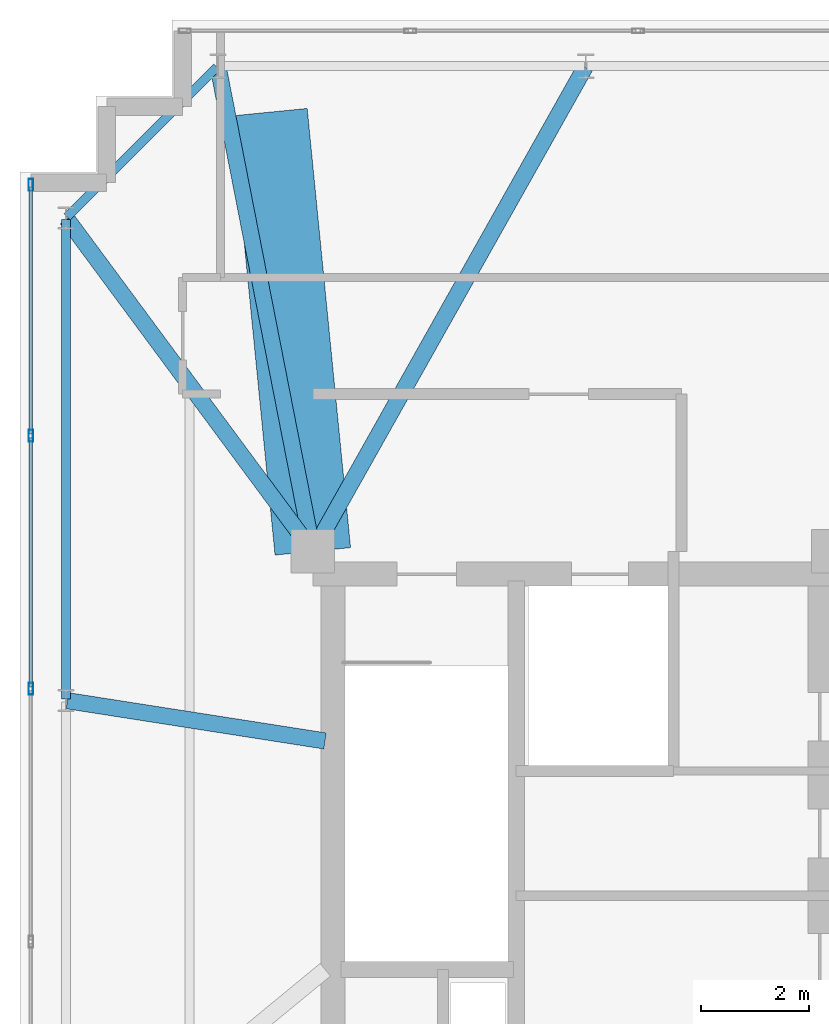
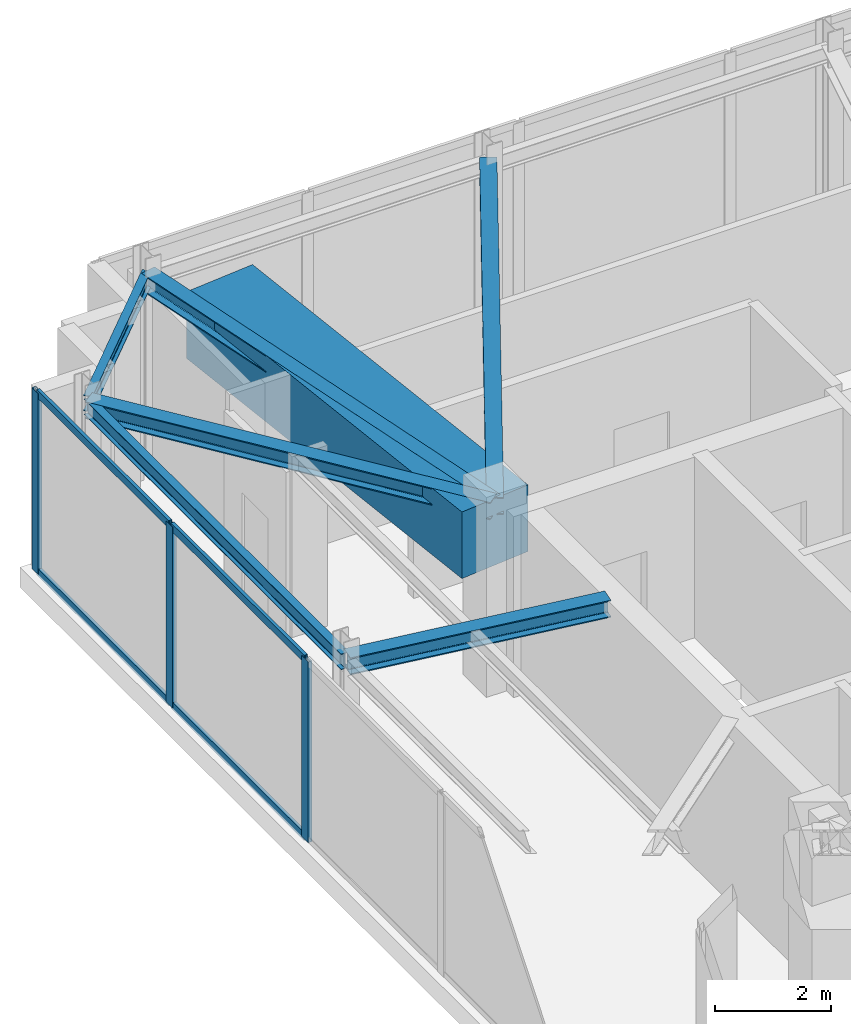
# One storey, part 12 of 27: 7 beams, 7 members, 1 element without a shape of its own.
"""IFC4 building model written with IfcOpenShell, lengths in metres."""

import ifcopenshell
import ifcopenshell.guid

model = None  # the IFC model being written
_history = None  # IfcOwnerHistory: only IFC2X3 demands one
_inside = {}  # id of a spatial element -> (the spatial element, [elements in it])
_under = {}  # id of a project, library or spatial element -> (it, [spatial elements below it])
_declared = {}  # id of a project -> (the project, [libraries it declares])
_typed = {}  # id of a type object -> (the type object, [elements of that type])
_made_of = {}  # id of a material, layer set ... -> (it, [elements and type objects made of it])


def new_model(schema):
    """Start an empty IFC model of exactly this schema.

    Asked for "IFC4X3", IfcOpenShell would pick the latest addendum, in which some entities
    have other attributes; the version numbers below select the first issue.
    IFC2X3 requires an IfcOwnerHistory on every rooted entity: one is made here for all.
    """
    global model, _history
    if schema == "IFC4X3":
        model = ifcopenshell.file(schema_version=(4, 3, 0, 0))
    else:
        model = ifcopenshell.file(schema=schema)
    _inside.clear()
    _under.clear()
    _declared.clear()
    _typed.clear()
    _made_of.clear()
    _history = None
    if model.schema == "IFC2X3":
        org = make("IfcOrganization", Name="unknown")
        user = make(
            "IfcPersonAndOrganization",
            ThePerson=make("IfcPerson", FamilyName="unknown"),
            TheOrganization=org,
        )
        app = make(
            "IfcApplication",
            ApplicationDeveloper=org,
            Version="unknown",
            ApplicationFullName="unknown",
            ApplicationIdentifier="unknown",
        )
        _history = make(
            "IfcOwnerHistory",
            OwningUser=user,
            OwningApplication=app,
            ChangeAction="ADDED",
            CreationDate=0,
        )
    return model


def make(cls, **values):
    """One entity of the class cls with the attributes given. An attribute that is None is left unset."""
    return model.create_entity(
        cls, **{name: value for name, value in values.items() if value is not None}
    )


def rooted(cls, **values):
    """An entity with a GlobalId (a new one), such as an element, a storey or a relation."""
    return make(cls, GlobalId=ifcopenshell.guid.new(), OwnerHistory=_history, **values)


def si_unit(unit_type, name, prefix=None):
    """IfcSIUnit, for example si_unit("LENGTHUNIT", "METRE", prefix="MILLI")."""
    return make("IfcSIUnit", UnitType=unit_type, Prefix=prefix, Name=name)


def assignment(units):
    """IfcUnitAssignment: the units of a project."""
    return None if units is None else make("IfcUnitAssignment", Units=units)


def point(xyz):
    """IfcCartesianPoint."""
    return None if xyz is None else make("IfcCartesianPoint", Coordinates=xyz)


def direction(xyz):
    """IfcDirection."""
    return None if xyz is None else make("IfcDirection", DirectionRatios=xyz)


def frame(location, z_axis=None, x_axis=None):
    """IfcAxis2Placement3D, a coordinate frame: its origin and axes. An axis left out is left unset."""
    return make(
        "IfcAxis2Placement3D",
        Location=point(location),
        Axis=direction(z_axis),
        RefDirection=direction(x_axis),
    )


def frame_2d(location, x_axis=None):
    """IfcAxis2Placement2D, a coordinate frame in the plane: its origin and x axis."""
    return make(
        "IfcAxis2Placement2D", Location=point(location), RefDirection=direction(x_axis)
    )


def origin():
    """The frame at (0, 0, 0) with its axes left unset."""
    return frame((0.0, 0.0, 0.0))


def origin_2d():
    """The frame at (0, 0) in the plane with its x axis left unset."""
    return frame_2d((0.0, 0.0))


def place(relative_to, where):
    """IfcLocalPlacement: puts the frame where relative to a parent placement (None: the world)."""
    return make(
        "IfcLocalPlacement", PlacementRelTo=relative_to, RelativePlacement=where
    )


def context(
    kind, dimensions, precision=None, world=None, true_north=None, identifier=None
):
    """IfcGeometricRepresentationContext, for example the 3D "Model" context."""
    return make(
        "IfcGeometricRepresentationContext",
        ContextIdentifier=identifier,
        ContextType=kind,
        CoordinateSpaceDimension=dimensions,
        Precision=precision,
        WorldCoordinateSystem=world,
        TrueNorth=true_north,
    )


def subcontext(parent, identifier, kind, view, scale=None):
    """IfcGeometricRepresentationSubContext, for example "Body" below "Model"."""
    return make(
        "IfcGeometricRepresentationSubContext",
        ContextIdentifier=identifier,
        ContextType=kind,
        ParentContext=parent,
        TargetScale=scale,
        TargetView=view,
    )


def project(units=None, contexts=None):
    """IfcProject with its units and contexts."""
    return rooted(
        "IfcProject",
        Name="project",
        RepresentationContexts=contexts,
        UnitsInContext=assignment(units),
    )


def spatial(cls, under=None, at=None, **own):
    """A site, building, storey or space (cls), placed at a placement, below another one or the project."""
    s = rooted(cls, ObjectPlacement=at, **own)
    if under is not None:
        _under.setdefault(under.id(), (under, []))[1].append(s)
    return s


def profile(cls, at=None, kind="AREA", **sizes):
    """A parametric profile (cls). Its sizes go by their IFC names, for example OverallWidth=200.0."""
    return make(cls, ProfileType=kind, Position=at, **sizes)


def rectangle(**sizes):
    """IfcRectangleProfileDef."""
    return profile("IfcRectangleProfileDef", **sizes)


def hollow_rectangle(**sizes):
    """IfcRectangleHollowProfileDef."""
    return profile("IfcRectangleHollowProfileDef", **sizes)


def i_section(**sizes):
    """IfcIShapeProfileDef."""
    return profile("IfcIShapeProfileDef", **sizes)


def extrude(swept, where, along, depth):
    """IfcExtrudedAreaSolid: the profile swept, set in the frame where, extruded along a direction by depth."""
    return make(
        "IfcExtrudedAreaSolid",
        SweptArea=swept,
        Position=where,
        ExtrudedDirection=direction(along),
        Depth=depth,
    )


def shape(context_of_items, identifier, shape_type, items):
    """IfcShapeRepresentation: the items that make up one representation, for example the "Body"."""
    return make(
        "IfcShapeRepresentation",
        ContextOfItems=context_of_items,
        RepresentationIdentifier=identifier,
        RepresentationType=shape_type,
        Items=items,
    )


def material(Name=None, Category=None):
    """IfcMaterial."""
    return make("IfcMaterial", Name=Name, Category=Category)


def layer(
    of_material, thickness, ventilated=None, Name=None, Category=None, Priority=None
):
    """IfcMaterialLayer: one layer of a wall or slab, of a material (None: an air gap)."""
    return make(
        "IfcMaterialLayer",
        Material=of_material,
        LayerThickness=thickness,
        IsVentilated=ventilated,
        Name=Name,
        Category=Category,
        Priority=Priority,
    )


def layer_set(layers, Name=None):
    """IfcMaterialLayerSet."""
    return make("IfcMaterialLayerSet", MaterialLayers=layers, LayerSetName=Name)


def material_profile(
    of_material, cross_section, Name=None, Category=None, Priority=None
):
    """IfcMaterialProfile: a cross section and its material."""
    return make(
        "IfcMaterialProfile",
        Name=Name,
        Material=of_material,
        Profile=cross_section,
        Priority=Priority,
        Category=Category,
    )


def profile_set(profiles, Name=None, composite=None):
    """IfcMaterialProfileSet."""
    return make(
        "IfcMaterialProfileSet",
        Name=Name,
        MaterialProfiles=profiles,
        CompositeProfile=composite,
    )


def made_of(thing, what):
    """Note that an element or type object is made of a material, layer set ...; save() writes the relation."""
    if what is not None:
        _made_of.setdefault(what.id(), (what, []))[1].append(thing)
    return thing


def type_object(cls, material=None, **own):
    """A type object (cls), such as IfcWallType, which elements share."""
    return made_of(rooted(cls, **own), material)


def element(
    cls,
    number,
    at=None,
    inside=None,
    cuts=None,
    type_object=None,
    material=None,
    context=None,
    identifier="Body",
    shape_type=None,
    held_by="IfcProductDefinitionShape",
    body=None,
    shapes=None,
    **own,
):
    """One element of the class cls, such as IfcWall. Its Tag is "e" and its number.

    at: its placement. inside: the storey or other place that contains it. cuts: it is an
    opening in that element (IfcRelVoidsElement). A single representation is given by context,
    identifier, shape_type and body (its items); several are given by shapes. held_by: the class
    of the entity that holds the representations. save() writes the other relations.
    """
    e = rooted(cls, Tag="e%d" % number, ObjectPlacement=at, **own)
    if body is not None:
        shapes = [shape(context, identifier, shape_type, body)]
    if shapes is not None:
        e.Representation = make(held_by, Representations=shapes)
    if inside is not None:
        _inside.setdefault(inside.id(), (inside, []))[1].append(e)
    if cuts is not None:
        rooted(
            "IfcRelVoidsElement", RelatingBuildingElement=cuts, RelatedOpeningElement=e
        )
    if type_object is not None:
        _typed.setdefault(type_object.id(), (type_object, []))[1].append(e)
    return made_of(e, material)


def aggregate(whole, parts):
    """IfcRelAggregates: a whole, such as a stair, and the parts it consists of."""
    return rooted("IfcRelAggregates", RelatingObject=whole, RelatedObjects=parts)


def save(model, path):
    """Write the relations noted so far, then the file.

    IfcRelAggregates (storeys below a building ...), IfcRelContainedInSpatialStructure (elements
    in a storey), IfcRelDefinesByType, IfcRelAssociatesMaterial and IfcRelDeclares: one each for
    every whole, place, type object, material and project.
    """
    for whole, parts in _under.values():
        aggregate(whole, parts)
    for where, things in _inside.values():
        rooted(
            "IfcRelContainedInSpatialStructure",
            RelatedElements=things,
            RelatingStructure=where,
        )
    for kind, things in _typed.values():
        rooted("IfcRelDefinesByType", RelatedObjects=things, RelatingType=kind)
    for what, things in _made_of.values():
        rooted("IfcRelAssociatesMaterial", RelatedObjects=things, RelatingMaterial=what)
    for by, libraries in _declared.values():
        rooted("IfcRelDeclares", RelatingContext=by, RelatedDefinitions=libraries)
    model.write(path)


model = new_model("IFC4")

# Units and contexts
model_context = context("Model", 3, precision=1e-05, world=origin(), true_north=direction((0.0, 1.0)))
body_context = subcontext(model_context, "Body", "Model", "MODEL_VIEW")
ifc_project = project(units=[si_unit("LENGTHUNIT", "METRE"), si_unit("AREAUNIT", "SQUARE_METRE"), si_unit("VOLUMEUNIT", "CUBIC_METRE"), si_unit("PLANEANGLEUNIT", "RADIAN"), si_unit("MASSUNIT", "GRAM", prefix="KILO")], contexts=[model_context])

# Site, building, storey
site_placement = place(None, origin())
site = spatial("IfcSite", under=ifc_project, at=site_placement, CompositionType="ELEMENT")
building_placement = place(site_placement, origin())
building = spatial("IfcBuilding", under=site, at=building_placement, Name="Qobustan Lattice House", CompositionType="ELEMENT")
storey_placement = place(building_placement, frame((0.0, 0.0, 266.0)))
storey = spatial("IfcBuildingStorey", under=building, at=storey_placement, Name="L75", CompositionType="ELEMENT", Elevation=266.0)

# Beams
ifc_material_1 = material(Name="Steel S355", Category="steel")
ifc_material_profile_1 = material_profile(ifc_material_1, i_section(OverallWidth=0.300048828125, OverallDepth=0.360107421875, WebThickness=0.012451171875, FlangeThickness=0.0224609375, FilletRadius=0.027099609375, at=origin_2d()), Name="HEB360")
ifc_profile_set_1 = profile_set([ifc_material_profile_1], Name="Steel S355")
beam_type_1 = type_object("IfcBeamType", Name="BM-FLG-HEB360", PredefinedType="USERDEFINED", material=ifc_profile_set_1)
beam_1_placement = place(storey_placement, frame((-20.545166015625, 14.525390625, 3.6201171875), z_axis=(0.191905644581, -0.981413380578, 0.0), x_axis=(0.981413380578, 0.191905644581, 0.0)))
element("IfcBeam", 1, at=beam_1_placement, inside=storey, type_object=beam_type_1, Name="L75 primary floor girder RAD-N7W", ObjectType="GIRDER", PredefinedType="USERDEFINED", context=body_context, shape_type="SweptSolid", body=[
    extrude(i_section(OverallWidth=0.300048828125, OverallDepth=0.360107421875, WebThickness=0.012451171875, FlangeThickness=0.0224609375, FilletRadius=0.027099609375, at=origin_2d()), origin(), (0.0, 0.0, 1.0), 9.0693359375),
])
beam_2_placement = place(storey_placement, frame((-13.779052734375, 14.5283203125, 3.6201171875), z_axis=(-0.490160276962, -0.871632320929, 0.0), x_axis=(0.871632320929, -0.490160276962, 0.0)))
element("IfcBeam", 2, at=beam_2_placement, inside=storey, type_object=beam_type_1, Name="L75 primary floor girder RAD-N6", ObjectType="GIRDER", PredefinedType="USERDEFINED", context=body_context, shape_type="SweptSolid", body=[
    extrude(i_section(OverallWidth=0.300048828125, OverallDepth=0.360107421875, WebThickness=0.012451171875, FlangeThickness=0.0224609375, FilletRadius=0.027099609375, at=origin_2d()), origin(), (0.0, 0.0, 1.0), 10.21826171875),
])
beam_3_placement = place(storey_placement, frame((-23.335205078125, 11.72998046875, 3.6201171875), z_axis=(0.594754993974, -0.80390702021, 0.0), x_axis=(0.80390702021, 0.594754993974, 0.0)))
element("IfcBeam", 3, at=beam_3_placement, inside=storey, type_object=beam_type_1, Name="L75 primary floor girder RAD-W1", ObjectType="GIRDER", PredefinedType="USERDEFINED", context=body_context, shape_type="SweptSolid", body=[
    extrude(i_section(OverallWidth=0.300048828125, OverallDepth=0.360107421875, WebThickness=0.012451171875, FlangeThickness=0.0224609375, FilletRadius=0.027099609375, at=origin_2d()), origin(), (0.0, 0.0, 1.0), 7.60009765625),
])
beam_4_placement = place(storey_placement, frame((-23.3251953125, 2.84619140625, 3.6201171875), z_axis=(0.988014453876, -0.154361390677, 0.0), x_axis=(0.154361390677, 0.988014453876, 0.0)))
element("IfcBeam", 4, at=beam_4_placement, inside=storey, type_object=beam_type_1, Name="L75 primary floor girder RAD-W2", ObjectType="GIRDER", PredefinedType="USERDEFINED", context=body_context, shape_type="SweptSolid", body=[
    extrude(i_section(OverallWidth=0.300048828125, OverallDepth=0.360107421875, WebThickness=0.012451171875, FlangeThickness=0.0224609375, FilletRadius=0.027099609375, at=origin_2d()), origin(), (0.0, 0.0, 1.0), 4.80810546875),
])
ifc_material_2 = material(Name="Steel S355", Category="steel")
ifc_material_profile_2 = material_profile(ifc_material_2, i_section(OverallWidth=0.159912109375, OverallDepth=0.330078125, WebThickness=0.007568359375, FlangeThickness=0.011474609375, FilletRadius=0.01806640625, at=origin_2d()), Name="IPE330")
ifc_profile_set_2 = profile_set([ifc_material_profile_2], Name="Steel S355")
beam_type_2 = type_object("IfcBeamType", Name="BM-SPD-IPE330", PredefinedType="SPANDREL", material=ifc_profile_set_2)
beam_5_placement = place(storey_placement, frame((-20.567626953125, 14.5322265625, 3.635009765625), z_axis=(-0.707106781187, -0.707106781187, 0.0), x_axis=(0.707106781187, -0.707106781187, 0.0)))
element("IfcBeam", 5, at=beam_5_placement, inside=storey, type_object=beam_type_2, Name="L75 perimeter spandrel N7-W1", PredefinedType="SPANDREL", context=body_context, shape_type="SweptSolid", body=[
    extrude(i_section(OverallWidth=0.159912109375, OverallDepth=0.330078125, WebThickness=0.007568359375, FlangeThickness=0.011474609375, FilletRadius=0.01806640625, at=origin_2d()), origin(), (0.0, 0.0, 1.0), 3.909912109375),
])
beam_6_placement = place(storey_placement, frame((-23.35009765625, 11.72509765625, 3.635009765625), z_axis=(0.0, -1.0, 0.0), x_axis=(1.0, 0.0, 0.0)))
element("IfcBeam", 6, at=beam_6_placement, inside=storey, type_object=beam_type_2, Name="L75 perimeter spandrel W1-W2", PredefinedType="SPANDREL", context=body_context, shape_type="SweptSolid", body=[
    extrude(i_section(OverallWidth=0.159912109375, OverallDepth=0.330078125, WebThickness=0.007568359375, FlangeThickness=0.011474609375, FilletRadius=0.01806640625, at=origin_2d()), origin(), (0.0, 0.0, 1.0), 8.85009765625),
])
ifc_material_3 = material(Name="Concrete C60/75", Category="concrete")
ifc_material_profile_3 = material_profile(ifc_material_3, rectangle(XDim=1.39990234375, YDim=1.39990234375, at=origin_2d()), Name="RC1400x1400")
ifc_profile_set_3 = profile_set([ifc_material_profile_3], Name="Concrete C60/75")
beam_type_3 = type_object("IfcBeamType", Name="BM-TRG-RC1400", PredefinedType="USERDEFINED", material=ifc_profile_set_3)
beam_7_placement = place(storey_placement, frame((-18.800048828125, 5.60009765625, 3.10009765625), z_axis=(-0.09829492015, 0.995157328603, 0.0), x_axis=(-0.995157328603, -0.09829492015, 0.0)))
element("IfcBeam", 7, at=beam_7_placement, inside=storey, type_object=beam_type_3, Name="L75 crown base transfer girder 4", ObjectType="GIRDER", PredefinedType="USERDEFINED", context=body_context, shape_type="SweptSolid", body=[
    extrude(rectangle(XDim=1.39990234375, YDim=1.39990234375, at=origin_2d()), origin(), (0.0, 0.0, 1.0), 8.13916015625),
])

# Curtain wall, members
ifc_material_4 = material(Name="Anodised aluminium and low-E glazing", Category="aluminium")
ifc_layer = layer(ifc_material_4, 0.219970703125)
ifc_layer_set = layer_set([ifc_layer], Name="Anodised aluminium and low-E glazing")
curtain_wall_type = type_object("IfcCurtainWallType", Name="CW-OBS-01", PredefinedType="USERDEFINED", material=ifc_layer_set)
curtain_wall_placement = place(storey_placement, origin())
curtain_wall = element("IfcCurtainWall", 8, at=curtain_wall_placement, inside=storey, type_object=curtain_wall_type, Name="L75 W panoramic observation curtain wall", ObjectType="CURTAIN WALL", PredefinedType="USERDEFINED")
ifc_material_5 = material(Name="Anodised aluminium EN AW-6063 T6", Category="aluminium")
ifc_material_profile_4 = material_profile(ifc_material_5, hollow_rectangle(XDim=0.080078125, YDim=0.219970703125, WallThickness=0.0048828125, at=origin_2d()), Name="CWM-220x80")
ifc_profile_set_4 = profile_set([ifc_material_profile_4], Name="Anodised aluminium EN AW-6063 T6")
member_type_1 = type_object("IfcMemberType", Name="CWM-MAIN-220", PredefinedType="MULLION", material=ifc_profile_set_4)
member_1_placement = place(storey_placement, frame((-24.0, 3.066650390625, 0.0), z_axis=(0.0, 0.0, 1.0), x_axis=(-1.0, 0.0, 0.0)))
member_1 = element("IfcMember", 9, at=member_1_placement, type_object=member_type_1, Name="CW-OB mullion 5", PredefinedType="MULLION", context=body_context, shape_type="SweptSolid", body=[
    extrude(hollow_rectangle(XDim=0.080078125, YDim=0.219970703125, WallThickness=0.0048828125, at=origin_2d()), origin(), (0.0, 0.0, 1.0), 3.800048828125),
])
member_2_placement = place(storey_placement, frame((-24.0, 7.7333984375, 0.0), z_axis=(0.0, 0.0, 1.0), x_axis=(-1.0, 0.0, 0.0)))
member_2 = element("IfcMember", 10, at=member_2_placement, type_object=member_type_1, Name="CW-OB mullion 6", PredefinedType="MULLION", context=body_context, shape_type="SweptSolid", body=[
    extrude(hollow_rectangle(XDim=0.080078125, YDim=0.219970703125, WallThickness=0.0048828125, at=origin_2d()), origin(), (0.0, 0.0, 1.0), 3.800048828125),
])
member_3_placement = place(storey_placement, frame((-24.0, 12.360107421875, 0.0), z_axis=(0.0, 0.0, 1.0), x_axis=(-1.0, 0.0, 0.0)))
member_3 = element("IfcMember", 11, at=member_3_placement, type_object=member_type_1, Name="CW-OB mullion 7", PredefinedType="MULLION", context=body_context, shape_type="SweptSolid", body=[
    extrude(hollow_rectangle(XDim=0.080078125, YDim=0.219970703125, WallThickness=0.0048828125, at=origin_2d()), origin(), (0.0, 0.0, 1.0), 3.800048828125),
])
ifc_material_6 = material(Name="Anodised aluminium EN AW-6063 T6", Category="aluminium")
ifc_material_profile_5 = material_profile(ifc_material_6, hollow_rectangle(XDim=0.06494140625, YDim=0.159912109375, WallThickness=0.00390625, at=origin_2d()), Name="CWT-160x65")
ifc_profile_set_5 = profile_set([ifc_material_profile_5], Name="Anodised aluminium EN AW-6063 T6")
member_type_2 = type_object("IfcMemberType", Name="CWT-HOR-160", PredefinedType="USERDEFINED", material=ifc_profile_set_5)
member_4_placement = place(storey_placement, frame((-24.0, 3.106689453125, 0.032470703125), z_axis=(0.0, 1.0, 0.0), x_axis=(-1.0, 0.0, 0.0)))
member_4 = element("IfcMember", 12, at=member_4_placement, type_object=member_type_2, Name="CW-OB transom 5.1", ObjectType="TRANSOM", PredefinedType="USERDEFINED", context=body_context, shape_type="SweptSolid", body=[
    extrude(hollow_rectangle(XDim=0.06494140625, YDim=0.159912109375, WallThickness=0.00390625, at=origin_2d()), origin(), (0.0, 0.0, 1.0), 4.586669921875),
])
member_5_placement = place(storey_placement, frame((-24.0, 3.106689453125, 3.767578125), z_axis=(0.0, 1.0, 0.0), x_axis=(-1.0, 0.0, 0.0)))
member_5 = element("IfcMember", 13, at=member_5_placement, type_object=member_type_2, Name="CW-OB transom 5.2", ObjectType="TRANSOM", PredefinedType="USERDEFINED", context=body_context, shape_type="SweptSolid", body=[
    extrude(hollow_rectangle(XDim=0.06494140625, YDim=0.159912109375, WallThickness=0.00390625, at=origin_2d()), origin(), (0.0, 0.0, 1.0), 4.586669921875),
])
member_6_placement = place(storey_placement, frame((-24.0, 7.7734375, 0.032470703125), z_axis=(0.0, 1.0, 0.0), x_axis=(-1.0, 0.0, 0.0)))
member_6 = element("IfcMember", 14, at=member_6_placement, type_object=member_type_2, Name="CW-OB transom 6.1", ObjectType="TRANSOM", PredefinedType="USERDEFINED", context=body_context, shape_type="SweptSolid", body=[
    extrude(hollow_rectangle(XDim=0.06494140625, YDim=0.159912109375, WallThickness=0.00390625, at=origin_2d()), origin(), (0.0, 0.0, 1.0), 4.546630859375),
])
member_7_placement = place(storey_placement, frame((-24.0, 7.7734375, 3.767578125), z_axis=(0.0, 1.0, 0.0), x_axis=(-1.0, 0.0, 0.0)))
member_7 = element("IfcMember", 15, at=member_7_placement, type_object=member_type_2, Name="CW-OB transom 6.2", ObjectType="TRANSOM", PredefinedType="USERDEFINED", context=body_context, shape_type="SweptSolid", body=[
    extrude(hollow_rectangle(XDim=0.06494140625, YDim=0.159912109375, WallThickness=0.00390625, at=origin_2d()), origin(), (0.0, 0.0, 1.0), 4.546630859375),
])
aggregate(curtain_wall, [member_1, member_2, member_3, member_4, member_5, member_6, member_7])

save(model, "model.ifc")
